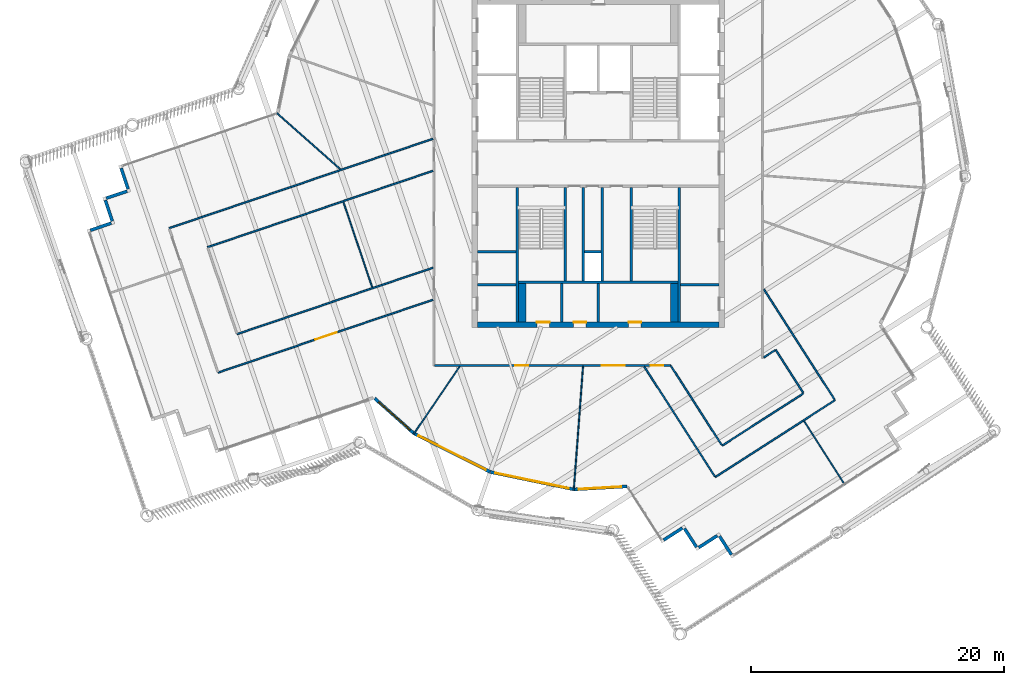
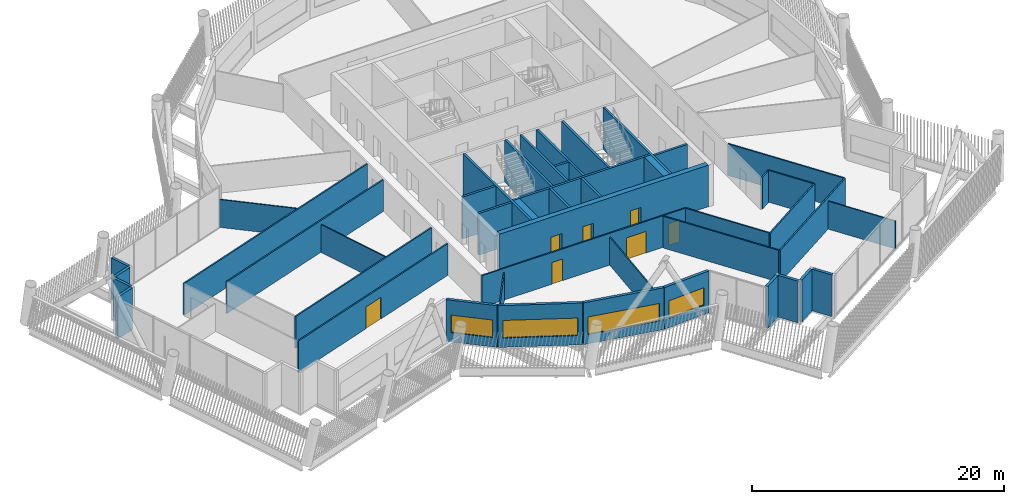
# One storey, part 17 of 35: 45 walls, 7 doors, 4 windows, 11 openings.
"""IFC4 building model written with IfcOpenShell, lengths in metres."""

from ifc_helpers import new_model, si_unit, direction, frame, frame_2d, origin, place, context, subcontext, project, spatial, rectangle, extrude, material, layer, layer_set, type_object, element, fill, save


model = new_model("IFC4")

# Units and contexts
model_context = context("Model", 3, precision=1e-05, world=origin(), true_north=direction((0.0, 1.0)))
body_context = subcontext(model_context, "Body", "Model", "MODEL_VIEW")
ifc_project = project(units=[si_unit("LENGTHUNIT", "METRE"), si_unit("AREAUNIT", "SQUARE_METRE"), si_unit("VOLUMEUNIT", "CUBIC_METRE"), si_unit("PLANEANGLEUNIT", "RADIAN"), si_unit("MASSUNIT", "GRAM", prefix="KILO")], contexts=[model_context])

# Site, building, storey
site_placement = place(None, origin())
site = spatial("IfcSite", under=ifc_project, at=site_placement, CompositionType="ELEMENT")
building_placement = place(site_placement, origin())
building = spatial("IfcBuilding", under=site, at=building_placement, Name="Tarsis Ring Headquarters", CompositionType="ELEMENT")
storey_placement = place(building_placement, frame((0.0, 0.0, 360.800048828125)))
storey = spatial("IfcBuildingStorey", under=building, at=storey_placement, Name="L85", CompositionType="ELEMENT", Elevation=360.800048828125)

# Walls
ifc_material_1 = material(Name="Blockwork", Category="masonry")
ifc_layer_1 = layer(ifc_material_1, 0.199951171875)
ifc_layer_set_1 = layer_set([ifc_layer_1], Name="Core blockwork wall 200")
wall_type_1 = type_object("IfcWallType", Name="Core blockwork wall 200", PredefinedType="PARTITIONING", material=ifc_layer_set_1)
for number, where, z_axis, x_axis, name in (
    (1, (-9.550048828125, -9.60009765625, 0.0), (0.0, 0.0, 1.0), (1.0, 0.0, 0.0), "Core partition WD1"),
    (2, (-9.550048828125, -7.0, 0.0), (0.0, 0.0, 1.0), (1.0, 0.0, 0.0), "Core partition WD2"),
    (3, (6.5, -9.60009765625, 0.0), (0.0, 0.0, 1.0), (1.0, 0.0, 0.0), "Core partition ED1"),
    (4, (-2.89990234375, -12.550048828125, 0.0), (0.0, 0.0, 1.0), (0.0, 1.0, 0.0), "Core partition SD1"),
    (5, (0.0, -12.550048828125, 0.0), (0.0, 0.0, 1.0), (0.0, 1.0, 0.0), "Core partition SD2"),
):
    element("IfcWall", number, at=place(storey_placement, frame(where, z_axis=z_axis, x_axis=x_axis)), inside=storey, type_object=wall_type_1, Name=name, PredefinedType="PARTITIONING", context=body_context, shape_type="SweptSolid", body=[
        extrude(rectangle(XDim=3.050048828125, YDim=0.199951171875, at=frame_2d((1.52490234375, 0.0))), origin(), (0.0, 0.0, 1.0), 4.0400390625),
    ])
wall_1_placement = place(storey_placement, frame((-1.10009765625, -7.0, 0.0), z_axis=(0.0, 0.0, 1.0), x_axis=(1.0, 0.0, 0.0)))
element("IfcWall", 6, at=wall_1_placement, inside=storey, type_object=wall_type_1, Name="Core partition SP2", PredefinedType="PARTITIONING", context=body_context, shape_type="SweptSolid", body=[
    extrude(rectangle(XDim=1.300048828125, YDim=0.199951171875, at=frame_2d((0.64990234375, 0.0))), origin(), (0.0, 0.0, 1.0), 4.0400390625),
])
for number, where, z_axis, x_axis, name in (
    (7, (-1.199951171875, -9.300048828125, 0.0), (0.0, 0.0, 1.0), (0.0, 1.0, 0.0), "Core partition SV1"),
    (8, (0.300048828125, -9.300048828125, 0.0), (0.0, 0.0, 1.0), (0.0, 1.0, 0.0), "Core partition SV2"),
):
    element("IfcWall", number, at=place(storey_placement, frame(where, z_axis=z_axis, x_axis=x_axis)), inside=storey, type_object=wall_type_1, Name=name, PredefinedType="PARTITIONING", context=body_context, shape_type="SweptSolid", body=[
        extrude(rectangle(XDim=7.400146484375, YDim=0.199951171875, at=frame_2d((3.7001953125, 0.0))), origin(), (0.0, 0.0, 1.0), 4.0400390625),
    ])

# Wall, openings, doors
ifc_material_2 = material(Name="Concrete C50/60", Category="concrete")
ifc_layer_2 = layer(ifc_material_2, 0.449951171875)
ifc_layer_set_2 = layer_set([ifc_layer_2], Name="Core wall 450 C50/60")
wall_type_2 = type_object("IfcWallType", Name="Core wall 450 C50/60", PredefinedType="SHEAR", material=ifc_layer_set_2)
wall_2_placement = place(storey_placement, frame((-9.550048828125, -12.77490234375, 0.0), z_axis=(0.0, 0.0, 1.0), x_axis=(1.0, 0.0, 0.0)))
wall_2 = element("IfcWall", 9, at=wall_2_placement, inside=storey, type_object=wall_type_2, Name="Core wall OS", PredefinedType="SHEAR", context=body_context, shape_type="SweptSolid", body=[
    extrude(rectangle(XDim=19.10009765625, YDim=0.449951171875, at=frame_2d((9.550048828125, 0.0))), origin(), (0.0, 0.0, 1.0), 4.0400390625),
])
opening_1_placement = place(wall_2_placement, frame((4.699951171875, 0.0, 0.0)))
opening_1 = element("IfcOpeningElement", 10, at=opening_1_placement, cuts=wall_2, Name="Opening L85-C17", PredefinedType="OPENING", context=body_context, shape_type="SweptSolid", body=[
    extrude(rectangle(XDim=1.0, YDim=2.10009765625, at=frame_2d((0.5, 1.050048828125))), frame((0.0, 0.23486328125, 0.0), z_axis=(0.0, -1.0, 0.0), x_axis=(1.0, 0.0, 0.0)), (0.0, 0.0, 1.0), 0.469970703125),
])
opening_2_placement = place(wall_2_placement, frame((7.60009765625, 0.0, 0.0)))
opening_2 = element("IfcOpeningElement", 11, at=opening_2_placement, cuts=wall_2, Name="Opening L85-C18", PredefinedType="OPENING", context=body_context, shape_type="SweptSolid", body=[
    extrude(rectangle(XDim=1.0, YDim=2.10009765625, at=frame_2d((0.5, 1.050048828125))), frame((0.0, 0.23486328125, 0.0), z_axis=(0.0, -1.0, 0.0), x_axis=(1.0, 0.0, 0.0)), (0.0, 0.0, 1.0), 0.469970703125),
])
opening_3_placement = place(wall_2_placement, frame((11.949951171875, 0.0, 0.0)))
opening_3 = element("IfcOpeningElement", 12, at=opening_3_placement, cuts=wall_2, Name="Opening L85-C19", PredefinedType="OPENING", context=body_context, shape_type="SweptSolid", body=[
    extrude(rectangle(XDim=1.0, YDim=2.10009765625, at=frame_2d((0.5, 1.050048828125))), frame((0.0, 0.23486328125, 0.0), z_axis=(0.0, -1.0, 0.0), x_axis=(1.0, 0.0, 0.0)), (0.0, 0.0, 1.0), 0.469970703125),
])
ifc_material_3 = material(Name="Steel S355", Category="steel")
door_type_1 = type_object("IfcDoorType", Name="Core room door 1000x2100", OperationType="SINGLE_SWING_LEFT", PredefinedType="DOOR", material=ifc_material_3)
door_1_placement = place(opening_1_placement, origin())
door_1 = element("IfcDoor", 13, at=door_1_placement, inside=storey, type_object=door_type_1, Name="Core room door L85", OperationType="SINGLE_SWING_LEFT", OverallHeight=2.10009765625, OverallWidth=1.0, PredefinedType="DOOR", context=body_context, shape_type="SweptSolid", body=[
    extrude(rectangle(XDim=1.0, YDim=2.10009765625, at=frame_2d((0.5, 1.050048828125))), frame((0.0, 0.22509765625, 0.0), z_axis=(0.0, -1.0, 0.0), x_axis=(1.0, 0.0, 0.0)), (0.0, 0.0, 1.0), 0.050048828125),
])
fill(opening_1, door_1)
door_2_placement = place(opening_2_placement, origin())
door_2 = element("IfcDoor", 14, at=door_2_placement, inside=storey, type_object=door_type_1, Name="Core room door L85", OperationType="SINGLE_SWING_LEFT", OverallHeight=2.10009765625, OverallWidth=1.0, PredefinedType="DOOR", context=body_context, shape_type="SweptSolid", body=[
    extrude(rectangle(XDim=1.0, YDim=2.10009765625, at=frame_2d((0.5, 1.050048828125))), frame((0.0, 0.22509765625, 0.0), z_axis=(0.0, -1.0, 0.0), x_axis=(1.0, 0.0, 0.0)), (0.0, 0.0, 1.0), 0.050048828125),
])
fill(opening_2, door_2)
door_3_placement = place(opening_3_placement, origin())
door_3 = element("IfcDoor", 15, at=door_3_placement, inside=storey, type_object=door_type_1, Name="Core room door L85", OperationType="SINGLE_SWING_LEFT", OverallHeight=2.10009765625, OverallWidth=1.0, PredefinedType="DOOR", context=body_context, shape_type="SweptSolid", body=[
    extrude(rectangle(XDim=1.0, YDim=2.10009765625, at=frame_2d((0.5, 1.050048828125))), frame((0.0, 0.22509765625, 0.0), z_axis=(0.0, -1.0, 0.0), x_axis=(1.0, 0.0, 0.0)), (0.0, 0.0, 1.0), 0.050048828125),
])
fill(opening_3, door_3)

# Walls
ifc_material_4 = material(Name="Gypsum board on steel studs", Category="steel")
ifc_layer_3 = layer(ifc_material_4, 0.10009765625)
ifc_layer_set_3 = layer_set([ifc_layer_3], Name="FL partition 100 unrated")
wall_type_3 = type_object("IfcWallType", Name="FL partition 100 unrated", PredefinedType="PARTITIONING", material=ifc_layer_set_3)
wall_3_placement = place(storey_placement, frame((-1.9365234375, -25.87548828125, 0.0), z_axis=(0.0, 0.0, 1.0), x_axis=(0.074634402862, 0.997210963593, 0.0)))
element("IfcWall", 16, at=wall_3_placement, inside=storey, type_object=wall_type_3, Name="Partition PW3", PredefinedType="PARTITIONING", context=body_context, shape_type="SweptSolid", body=[
    extrude(rectangle(XDim=9.8330078125, YDim=0.10009765625, at=frame_2d((4.91650390625, 0.0))), origin(), (0.0, 0.0, 1.0), 2.699951171875),
])
wall_4_placement = place(storey_placement, frame((-20.160400390625, -3.072998046875, 0.0), z_axis=(0.0, 0.0, 1.0), x_axis=(0.32095587381, -0.947094148998, 0.0)))
element("IfcWall", 17, at=wall_4_placement, inside=storey, type_object=wall_type_3, Name="Partition PW3", PredefinedType="PARTITIONING", context=body_context, shape_type="SweptSolid", body=[
    extrude(rectangle(XDim=7.119873046875, YDim=0.10009765625, at=frame_2d((3.56005859375, 0.0))), origin(), (0.0, 0.0, 1.0), 2.699951171875),
])
wall_5_placement = place(storey_placement, frame((-25.423583984375, 3.9755859375, 0.0), z_axis=(0.0, 0.0, 1.0), x_axis=(0.748618675524, -0.663000813466, 0.0)))
element("IfcWall", 18, at=wall_5_placement, inside=storey, type_object=wall_type_3, Name="Partition PW3", PredefinedType="PARTITIONING", context=body_context, shape_type="SweptSolid", body=[
    extrude(rectangle(XDim=6.6982421875, YDim=0.10009765625, at=frame_2d((3.34912109375, 0.0))), origin(), (0.0, 0.0, 1.0), 2.699951171875),
])
wall_6_placement = place(storey_placement, frame((-14.61474609375, -21.440673828125, 0.0), z_axis=(0.0, 0.0, 1.0), x_axis=(0.563211812609, 0.826312564432, 0.0)))
element("IfcWall", 19, at=wall_6_placement, inside=storey, type_object=wall_type_3, Name="Partition PW3", PredefinedType="PARTITIONING", context=body_context, shape_type="SweptSolid", body=[
    extrude(rectangle(XDim=6.484375, YDim=0.10009765625, at=frame_2d((3.2421875, 0.0))), origin(), (0.0, 0.0, 1.0), 2.699951171875),
])
wall_7_placement = place(storey_placement, frame((16.278564453125, -20.3974609375, 0.0), z_axis=(0.0, 0.0, 1.0), x_axis=(0.54053097555, -0.841324113806, 0.0)))
element("IfcWall", 20, at=wall_7_placement, inside=storey, type_object=wall_type_3, Name="Partition PW3", PredefinedType="PARTITIONING", context=body_context, shape_type="SweptSolid", body=[
    extrude(rectangle(XDim=5.989990234375, YDim=0.10009765625, at=frame_2d((2.9951171875, 0.0))), origin(), (0.0, 0.0, 1.0), 2.699951171875),
])
ifc_layer_4 = layer(ifc_material_4, 0.125)
ifc_layer_set_4 = layer_set([ifc_layer_4], Name="FL partition 125 EI 60 H3070")
wall_type_4 = type_object("IfcWallType", Name="FL partition 125 EI 60 H3070", PredefinedType="PARTITIONING", material=ifc_layer_set_4)
wall_8_placement = place(storey_placement, frame((-33.947265625, -5.136962890625, 0.0), z_axis=(0.0, 0.0, 1.0), x_axis=(0.947098416308, 0.320943281325, 0.0)))
element("IfcWall", 21, at=wall_8_placement, inside=storey, type_object=wall_type_4, Name="Partition PW1H307", PredefinedType="PARTITIONING", context=body_context, shape_type="SweptSolid", body=[
    extrude(rectangle(XDim=22.037353515625, YDim=0.125, at=frame_2d((11.0185546875, 0.0))), origin(), (0.0, 0.0, 1.0), 3.070068359375),
])
wall_9_placement = place(storey_placement, frame((-30.90380859375, -6.6396484375, 0.0), z_axis=(0.0, 0.0, 1.0), x_axis=(0.947097020876, 0.320947399192, 0.0)))
element("IfcWall", 22, at=wall_9_placement, inside=storey, type_object=wall_type_4, Name="Partition PW1H307", PredefinedType="PARTITIONING", context=body_context, shape_type="SweptSolid", body=[
    extrude(rectangle(XDim=18.823974609375, YDim=0.125, at=frame_2d((9.412109375, 0.0))), origin(), (0.0, 0.0, 1.0), 3.070068359375),
])

# Wall, openings, doors
wall_10_placement = place(storey_placement, frame((-12.93994140625, -16.0, 0.0), z_axis=(0.0, 0.0, 1.0), x_axis=(1.0, 0.0, 0.0)))
wall_10 = element("IfcWall", 23, at=wall_10_placement, inside=storey, type_object=wall_type_4, Name="Partition PW1H307", PredefinedType="PARTITIONING", context=body_context, shape_type="SweptSolid", body=[
    extrude(rectangle(XDim=18.667236328125, YDim=0.125, at=frame_2d((9.33349609375, 0.0))), origin(), (0.0, 0.0, 1.0), 3.070068359375),
])
opening_4_placement = place(wall_10_placement, frame((13.235107421875, 0.0, 0.0)))
opening_4 = element("IfcOpeningElement", 24, at=opening_4_placement, cuts=wall_10, Name="Opening D85.11", PredefinedType="OPENING", context=body_context, shape_type="SweptSolid", body=[
    extrude(rectangle(XDim=1.800048828125, YDim=2.10009765625, at=frame_2d((0.89990234375, 1.050048828125))), frame((0.0, 0.072509765625, 0.0), z_axis=(0.0, -1.0, 0.0), x_axis=(1.0, 0.0, 0.0)), (0.0, 0.0, 1.0), 0.14501953125),
])
opening_5_placement = place(wall_10_placement, frame((6.38818359375, 0.0, 0.0)))
opening_5 = element("IfcOpeningElement", 25, at=opening_5_placement, cuts=wall_10, Name="Opening D85.12", PredefinedType="OPENING", context=body_context, shape_type="SweptSolid", body=[
    extrude(rectangle(XDim=1.0, YDim=2.10009765625, at=frame_2d((0.5, 1.050048828125))), frame((0.0, 0.072509765625, 0.0), z_axis=(0.0, -1.0, 0.0), x_axis=(1.0, 0.0, 0.0)), (0.0, 0.0, 1.0), 0.14501953125),
])
opening_6_placement = place(wall_10_placement, frame((17.09765625, 0.0, 0.0)))
opening_6 = element("IfcOpeningElement", 26, at=opening_6_placement, cuts=wall_10, Name="Opening D85.14", PredefinedType="OPENING", context=body_context, shape_type="SweptSolid", body=[
    extrude(rectangle(XDim=1.0, YDim=2.10009765625, at=frame_2d((0.5, 1.050048828125))), frame((0.0, 0.072509765625, 0.0), z_axis=(0.0, -1.0, 0.0), x_axis=(1.0, 0.0, 0.0)), (0.0, 0.0, 1.0), 0.14501953125),
])
ifc_material_5 = material(Name="Fire-rated timber door leaf in steel frame", Category="steel")
door_type_2 = type_object("IfcDoorType", Name="FL door FD60-1000", OperationType="NOTDEFINED", PredefinedType="DOOR", material=ifc_material_5)
door_4_placement = place(opening_5_placement, origin())
door_4 = element("IfcDoor", 27, at=door_4_placement, inside=storey, type_object=door_type_2, Name="Door D85.12", OperationType="SINGLE_SWING_LEFT", OverallHeight=2.10009765625, OverallWidth=1.0, PredefinedType="DOOR", context=body_context, shape_type="SweptSolid", body=[
    extrude(rectangle(XDim=1.0, YDim=2.10009765625, at=frame_2d((0.5, 1.050048828125))), frame((0.0, 0.02490234375, 0.0), z_axis=(0.0, -1.0, 0.0), x_axis=(1.0, 0.0, 0.0)), (0.0, 0.0, 1.0), 0.050048828125),
])
fill(opening_5, door_4)
door_5_placement = place(opening_6_placement, origin())
door_5 = element("IfcDoor", 28, at=door_5_placement, inside=storey, type_object=door_type_2, Name="Door D85.14", OperationType="SINGLE_SWING_LEFT", OverallHeight=2.10009765625, OverallWidth=1.0, PredefinedType="DOOR", context=body_context, shape_type="SweptSolid", body=[
    extrude(rectangle(XDim=1.0, YDim=2.10009765625, at=frame_2d((0.5, 1.050048828125))), frame((0.0, 0.02490234375, 0.0), z_axis=(0.0, -1.0, 0.0), x_axis=(1.0, 0.0, 0.0)), (0.0, 0.0, 1.0), 0.050048828125),
])
fill(opening_6, door_5)
door_type_3 = type_object("IfcDoorType", Name="FL door FD60-1800", OperationType="DOUBLE_DOOR_SINGLE_SWING", PredefinedType="DOOR", material=ifc_material_5)
door_6_placement = place(opening_4_placement, origin())
door_6 = element("IfcDoor", 29, at=door_6_placement, inside=storey, type_object=door_type_3, Name="Door D85.11", OperationType="DOUBLE_DOOR_SINGLE_SWING", OverallHeight=2.10009765625, OverallWidth=1.800048828125, PredefinedType="DOOR", context=body_context, shape_type="SweptSolid", body=[
    extrude(rectangle(XDim=1.800048828125, YDim=2.10009765625, at=frame_2d((0.89990234375, 1.050048828125))), frame((0.0, 0.02490234375, 0.0), z_axis=(0.0, -1.0, 0.0), x_axis=(1.0, 0.0, 0.0)), (0.0, 0.0, 1.0), 0.050048828125),
])
fill(opening_4, door_6)

# Wall, opening, door
wall_11_placement = place(storey_placement, frame((-30.07666015625, -16.558837890625, 0.0), z_axis=(0.0, 0.0, 1.0), x_axis=(0.94710070798, 0.320936518557, 0.0)))
wall_11 = element("IfcWall", 30, at=wall_11_placement, inside=storey, type_object=wall_type_4, Name="Partition PW1H307", PredefinedType="PARTITIONING", context=body_context, shape_type="SweptSolid", body=[
    extrude(rectangle(XDim=17.950439453125, YDim=0.125, at=frame_2d((8.97509765625, 0.0))), origin(), (0.0, 0.0, 1.0), 3.070068359375),
])
opening_7_placement = place(wall_11_placement, frame((8.115234375, 0.0, 0.0)))
opening_7 = element("IfcOpeningElement", 31, at=opening_7_placement, cuts=wall_11, Name="Opening D85.01", PredefinedType="OPENING", context=body_context, shape_type="SweptSolid", body=[
    extrude(rectangle(XDim=1.800048828125, YDim=2.10009765625, at=frame_2d((0.89990234375, 1.050048828125))), frame((0.0, 0.072509765625, 0.0), z_axis=(0.0, -1.0, 0.0), x_axis=(1.0, 0.0, 0.0)), (0.0, 0.0, 1.0), 0.14501953125),
])
door_7_placement = place(opening_7_placement, origin())
door_7 = element("IfcDoor", 32, at=door_7_placement, inside=storey, type_object=door_type_3, Name="Door D85.01", OperationType="DOUBLE_DOOR_SINGLE_SWING", OverallHeight=2.10009765625, OverallWidth=1.800048828125, PredefinedType="DOOR", context=body_context, shape_type="SweptSolid", body=[
    extrude(rectangle(XDim=1.800048828125, YDim=2.10009765625, at=frame_2d((0.89990234375, 1.050048828125))), frame((0.0, 0.02490234375, 0.0), z_axis=(0.0, -1.0, 0.0), x_axis=(1.0, 0.0, 0.0)), (0.0, 0.0, 1.0), 0.050048828125),
])
fill(opening_7, door_7)

# Walls
wall_12_placement = place(storey_placement, frame((-28.573974609375, -13.515625, 0.0), z_axis=(0.0, 0.0, 1.0), x_axis=(0.94710208604, 0.320932451801, 0.0)))
element("IfcWall", 33, at=wall_12_placement, inside=storey, type_object=wall_type_4, Name="Partition PW1H307", PredefinedType="PARTITIONING", context=body_context, shape_type="SweptSolid", body=[
    extrude(rectangle(XDim=16.364013671875, YDim=0.125, at=frame_2d((8.18212890625, 0.0))), origin(), (0.0, 0.0, 1.0), 3.070068359375),
])
wall_13_placement = place(storey_placement, frame((9.2578125, -24.824951171875, 0.0), z_axis=(0.0, 0.0, 1.0), x_axis=(0.841324269527, 0.540530733173, 0.0)))
element("IfcWall", 34, at=wall_13_placement, inside=storey, type_object=wall_type_4, Name="Partition PW1H307", PredefinedType="PARTITIONING", context=body_context, shape_type="SweptSolid", body=[
    extrude(rectangle(XDim=11.260009765625, YDim=0.125, at=frame_2d((5.6298828125, 0.0))), origin(), (0.0, 0.0, 1.0), 3.070068359375),
])
wall_14_placement = place(storey_placement, frame((13.102783203125, -9.978271484375, 0.0), z_axis=(0.0, 0.0, 1.0), x_axis=(0.540525144961, -0.841327859794, 0.0)))
element("IfcWall", 35, at=wall_14_placement, inside=storey, type_object=wall_type_4, Name="Partition PW1H307", PredefinedType="PARTITIONING", context=body_context, shape_type="SweptSolid", body=[
    extrude(rectangle(XDim=10.352294921875, YDim=0.125, at=frame_2d((5.17626953125, 0.0))), origin(), (0.0, 0.0, 1.0), 3.070068359375),
])
wall_15_placement = place(storey_placement, frame((3.641845703125, -16.084228515625, 0.0), z_axis=(0.0, 0.0, 1.0), x_axis=(0.540548522369, -0.841312840128, 0.0)))
element("IfcWall", 36, at=wall_15_placement, inside=storey, type_object=wall_type_4, Name="Partition PW1H307", PredefinedType="PARTITIONING", context=body_context, shape_type="SweptSolid", body=[
    extrude(rectangle(XDim=10.329345703125, YDim=0.125, at=frame_2d((5.16455078125, 0.0))), origin(), (0.0, 0.0, 1.0), 3.070068359375),
])
wall_16_placement = place(storey_placement, frame((9.80078125, -22.336669921875, 0.0), z_axis=(0.0, 0.0, 1.0), x_axis=(0.841316248148, 0.540543218071, 0.0)))
element("IfcWall", 37, at=wall_16_placement, inside=storey, type_object=wall_type_4, Name="Partition PW1H307", PredefinedType="PARTITIONING", context=body_context, shape_type="SweptSolid", body=[
    extrude(rectangle(XDim=7.656005859375, YDim=0.125, at=frame_2d((3.828125, 0.0))), origin(), (0.0, 0.0, 1.0), 3.070068359375),
])
wall_17_placement = place(storey_placement, frame((5.7490234375, -16.03369140625, 0.0), z_axis=(0.0, 0.0, 1.0), x_axis=(0.540533397787, -0.84132255757, 0.0)))
element("IfcWall", 38, at=wall_17_placement, inside=storey, type_object=wall_type_4, Name="Partition PW1H307", PredefinedType="PARTITIONING", context=body_context, shape_type="SweptSolid", body=[
    extrude(rectangle(XDim=7.430908203125, YDim=0.125, at=frame_2d((3.71533203125, 0.0))), origin(), (0.0, 0.0, 1.0), 3.070068359375),
])
wall_18_placement = place(storey_placement, frame((14.03369140625, -14.757568359375, 0.0), z_axis=(0.0, 0.0, 1.0), x_axis=(0.540558379112, -0.841306507031, 0.0)))
element("IfcWall", 39, at=wall_18_placement, inside=storey, type_object=wall_type_4, Name="Partition PW1H307", PredefinedType="PARTITIONING", context=body_context, shape_type="SweptSolid", body=[
    extrude(rectangle(XDim=4.0263671875, YDim=0.125, at=frame_2d((2.01318359375, 0.0))), origin(), (0.0, 0.0, 1.0), 3.070068359375),
])
wall_19_placement = place(storey_placement, frame((13.08447265625, -15.365478515625, 0.0), z_axis=(0.0, 0.0, 1.0), x_axis=(0.8413794811, 0.540444787914, 0.0)))
element("IfcWall", 40, at=wall_19_placement, inside=storey, type_object=wall_type_4, Name="Partition PW1H307", PredefinedType="PARTITIONING", context=body_context, shape_type="SweptSolid", body=[
    extrude(rectangle(XDim=1.065185546875, YDim=0.125, at=frame_2d((0.53271484375, 0.0))), origin(), (0.0, 0.0, 1.0), 3.070068359375),
])

# Wall, opening, window
ifc_material_6 = material(Name="Terracotta clad insulated panel wall", Category="masonry")
ifc_layer_5 = layer(ifc_material_6, 0.25)
ifc_layer_set_5 = layer_set([ifc_layer_5], Name="Facade wall terracotta panel 250")
wall_type_5 = type_object("IfcWallType", Name="Facade wall terracotta panel 250", PredefinedType="STANDARD", material=ifc_layer_set_5)
wall_20_placement = place(storey_placement, frame((-17.685791015625, -18.598388671875, 0.0), z_axis=(0.0, 0.0, 1.0), x_axis=(0.745715692071, -0.666264291853, 0.0)))
wall_20 = element("IfcWall", 41, at=wall_20_placement, inside=storey, type_object=wall_type_5, Name="External wall L85-02", PredefinedType="STANDARD", context=body_context, shape_type="SweptSolid", body=[
    extrude(rectangle(XDim=4.157470703125, YDim=0.25, at=frame_2d((2.07861328125, 0.0))), origin(), (0.0, 0.0, 1.0), 4.0400390625),
])
opening_8_placement = place(wall_20_placement, frame((0.420166015625, 0.0, 0.89990234375)))
opening_8 = element("IfcOpeningElement", 42, at=opening_8_placement, cuts=wall_20, Name="Opening WN01", PredefinedType="OPENING", context=body_context, shape_type="SweptSolid", body=[
    extrude(rectangle(XDim=3.35009765625, YDim=1.699951171875, at=frame_2d((1.675048828125, 0.85009765625))), frame((0.0, 0.135009765625, 0.0), z_axis=(0.0, -1.0, 0.0), x_axis=(1.0, 0.0, 0.0)), (0.0, 0.0, 1.0), 0.27001953125),
])
ifc_material_7 = material(Name="Aluminium framed double glazing", Category="aluminium")
window_type_1 = type_object("IfcWindowType", Name="Facade window 3350 x 1700", PartitioningType="SINGLE_PANEL", PredefinedType="WINDOW", material=ifc_material_7)
window_1_placement = place(opening_8_placement, origin())
window_1 = element("IfcWindow", 43, at=window_1_placement, inside=storey, type_object=window_type_1, Name="Window L85-02.1", OverallHeight=1.699951171875, OverallWidth=3.35009765625, PartitioningType="SINGLE_PANEL", PredefinedType="WINDOW", context=body_context, shape_type="SweptSolid", body=[
    extrude(rectangle(XDim=3.35009765625, YDim=1.699951171875, at=frame_2d((1.675048828125, 0.85009765625))), frame((0.0, 0.030029296875, 0.0), z_axis=(0.0, -1.0, 0.0), x_axis=(1.0, 0.0, 0.0)), (0.0, 0.0, 1.0), 0.06005859375),
])
fill(opening_8, window_1)

wall_21_placement = place(storey_placement, frame((-14.55859375, -21.386962890625, 0.0), z_axis=(0.0, 0.0, 1.0), x_axis=(0.892757457146, -0.450537593004, 0.0)))
wall_21 = element("IfcWall", 44, at=wall_21_placement, inside=storey, type_object=wall_type_5, Name="External wall L85-03", PredefinedType="STANDARD", context=body_context, shape_type="SweptSolid", body=[
    extrude(rectangle(XDim=6.7216796875, YDim=0.25, at=frame_2d((3.36083984375, 0.0))), origin(), (0.0, 0.0, 1.0), 4.0400390625),
])
opening_9_placement = place(wall_21_placement, frame((0.3857421875, 0.0, 0.89990234375)))
opening_9 = element("IfcOpeningElement", 45, at=opening_9_placement, cuts=wall_21, Name="Opening WN07", PredefinedType="OPENING", context=body_context, shape_type="SweptSolid", body=[
    extrude(rectangle(XDim=5.949951171875, YDim=1.699951171875, at=frame_2d((2.97509765625, 0.85009765625))), frame((0.0, 0.135009765625, 0.0), z_axis=(0.0, -1.0, 0.0), x_axis=(1.0, 0.0, 0.0)), (0.0, 0.0, 1.0), 0.27001953125),
])
window_type_2 = type_object("IfcWindowType", Name="Facade window 5950 x 1700", PartitioningType="SINGLE_PANEL", PredefinedType="WINDOW", material=ifc_material_7)
window_2_placement = place(opening_9_placement, origin())
window_2 = element("IfcWindow", 46, at=window_2_placement, inside=storey, type_object=window_type_2, Name="Window L85-03.1", OverallHeight=1.699951171875, OverallWidth=5.949951171875, PartitioningType="SINGLE_PANEL", PredefinedType="WINDOW", context=body_context, shape_type="SweptSolid", body=[
    extrude(rectangle(XDim=5.949951171875, YDim=1.699951171875, at=frame_2d((2.97509765625, 0.85009765625))), frame((0.0, 0.030029296875, 0.0), z_axis=(0.0, -1.0, 0.0), x_axis=(1.0, 0.0, 0.0)), (0.0, 0.0, 1.0), 0.06005859375),
])
fill(opening_9, window_2)

wall_22_placement = place(storey_placement, frame((-8.527099609375, -24.42626953125, 0.0), z_axis=(0.0, 0.0, 1.0), x_axis=(0.978944142938, -0.204128305258, 0.0)))
wall_22 = element("IfcWall", 47, at=wall_22_placement, inside=storey, type_object=wall_type_5, Name="External wall L85-04", PredefinedType="STANDARD", context=body_context, shape_type="SweptSolid", body=[
    extrude(rectangle(XDim=6.7216796875, YDim=0.25, at=frame_2d((3.36083984375, 0.0))), origin(), (0.0, 0.0, 1.0), 4.0400390625),
])
opening_10_placement = place(wall_22_placement, frame((0.3857421875, 0.0, 0.89990234375)))
opening_10 = element("IfcOpeningElement", 48, at=opening_10_placement, cuts=wall_22, Name="Opening WN07", PredefinedType="OPENING", context=body_context, shape_type="SweptSolid", body=[
    extrude(rectangle(XDim=5.949951171875, YDim=1.699951171875, at=frame_2d((2.97509765625, 0.85009765625))), frame((0.0, 0.135009765625, 0.0), z_axis=(0.0, -1.0, 0.0), x_axis=(1.0, 0.0, 0.0)), (0.0, 0.0, 1.0), 0.27001953125),
])
window_3_placement = place(opening_10_placement, origin())
window_3 = element("IfcWindow", 49, at=window_3_placement, inside=storey, type_object=window_type_2, Name="Window L85-04.1", OverallHeight=1.699951171875, OverallWidth=5.949951171875, PartitioningType="SINGLE_PANEL", PredefinedType="WINDOW", context=body_context, shape_type="SweptSolid", body=[
    extrude(rectangle(XDim=5.949951171875, YDim=1.699951171875, at=frame_2d((2.97509765625, 0.85009765625))), frame((0.0, 0.030029296875, 0.0), z_axis=(0.0, -1.0, 0.0), x_axis=(1.0, 0.0, 0.0)), (0.0, 0.0, 1.0), 0.06005859375),
])
fill(opening_10, window_3)

wall_23_placement = place(storey_placement, frame((-1.91455078125, -25.80078125, 0.0), z_axis=(0.0, 0.0, 1.0), x_axis=(0.998420776432, 0.056177870989, 0.0)))
wall_23 = element("IfcWall", 50, at=wall_23_placement, inside=storey, type_object=wall_type_5, Name="External wall L85-05", PredefinedType="STANDARD", context=body_context, shape_type="SweptSolid", body=[
    extrude(rectangle(XDim=4.202392578125, YDim=0.25, at=frame_2d((2.10107421875, 0.0))), origin(), (0.0, 0.0, 1.0), 4.0400390625),
])
opening_11_placement = place(wall_23_placement, frame((0.38720703125, 0.0, 0.89990234375)))
opening_11 = element("IfcOpeningElement", 51, at=opening_11_placement, cuts=wall_23, Name="Opening WN01", PredefinedType="OPENING", context=body_context, shape_type="SweptSolid", body=[
    extrude(rectangle(XDim=3.35009765625, YDim=1.699951171875, at=frame_2d((1.675048828125, 0.85009765625))), frame((0.0, 0.135009765625, 0.0), z_axis=(0.0, -1.0, 0.0), x_axis=(1.0, 0.0, 0.0)), (0.0, 0.0, 1.0), 0.27001953125),
])
window_4_placement = place(opening_11_placement, origin())
window_4 = element("IfcWindow", 52, at=window_4_placement, inside=storey, type_object=window_type_1, Name="Window L85-05.1", OverallHeight=1.699951171875, OverallWidth=3.35009765625, PartitioningType="SINGLE_PANEL", PredefinedType="WINDOW", context=body_context, shape_type="SweptSolid", body=[
    extrude(rectangle(XDim=3.35009765625, YDim=1.699951171875, at=frame_2d((1.675048828125, 0.85009765625))), frame((0.0, 0.030029296875, 0.0), z_axis=(0.0, -1.0, 0.0), x_axis=(1.0, 0.0, 0.0)), (0.0, 0.0, 1.0), 0.06005859375),
])
fill(opening_11, window_4)

# Walls
wall_24_placement = place(storey_placement, frame((5.181884765625, -29.80322265625, 0.0), z_axis=(0.0, 0.0, 1.0), x_axis=(0.84126912244, 0.540616558782, 0.0)))
element("IfcWall", 53, at=wall_24_placement, inside=storey, type_object=wall_type_5, Name="External wall L85-07", PredefinedType="STANDARD", context=body_context, shape_type="SweptSolid", body=[
    extrude(rectangle(XDim=1.75, YDim=0.25, at=frame_2d((0.875, 0.0))), origin(), (0.0, 0.0, 1.0), 4.0400390625),
])
for number, where, z_axis, x_axis, name in (
    (54, (6.826904296875, -28.894775390625, 0.0), (0.0, 0.0, 1.0), (0.540553113186, -0.841309890483, 0.0), "External wall L85-08"),
    (55, (7.945556640625, -30.40478515625, 0.0), (0.0, 0.0, 1.0), (0.841309890483, 0.540553113186, 0.0), "External wall L85-09"),
    (56, (9.590576171875, -29.496337890625, 0.0), (0.0, 0.0, 1.0), (0.540553113186, -0.841309890483, 0.0), "External wall L85-10"),
):
    element("IfcWall", number, at=place(storey_placement, frame(where, z_axis=z_axis, x_axis=x_axis)), inside=storey, type_object=wall_type_5, Name=name, PredefinedType="STANDARD", context=body_context, shape_type="SweptSolid", body=[
        extrude(rectangle(XDim=1.750244140625, YDim=0.25, at=frame_2d((0.875, 0.0))), origin(), (0.0, 0.0, 1.0), 4.0400390625),
    ])
for number, where, z_axis, x_axis, name in (
    (57, (-37.748291015625, -0.385498046875, 0.0), (0.0, 0.0, 1.0), (0.320994745033, -0.94708097524, 0.0), "External wall L85-32"),
    (58, (-37.264892578125, -2.201416015625, 0.0), (0.0, 0.0, 1.0), (-0.947123378683, -0.320869608333, 0.0), "External wall L85-33"),
):
    element("IfcWall", number, at=place(storey_placement, frame(where, z_axis=z_axis, x_axis=x_axis)), inside=storey, type_object=wall_type_5, Name=name, PredefinedType="STANDARD", context=body_context, shape_type="SweptSolid", body=[
        extrude(rectangle(XDim=1.75, YDim=0.25, at=frame_2d((0.875, 0.0))), origin(), (0.0, 0.0, 1.0), 4.0400390625),
    ])
wall_25_placement = place(storey_placement, frame((-39.00048828125, -2.921630859375, 0.0), z_axis=(0.0, 0.0, 1.0), x_axis=(0.320912010688, -0.947109012414, 0.0)))
element("IfcWall", 59, at=wall_25_placement, inside=storey, type_object=wall_type_5, Name="External wall L85-34", PredefinedType="STANDARD", context=body_context, shape_type="SweptSolid", body=[
    extrude(rectangle(XDim=1.749755859375, YDim=0.25, at=frame_2d((0.875, 0.0))), origin(), (0.0, 0.0, 1.0), 4.0400390625),
])
wall_26_placement = place(storey_placement, frame((-38.51708984375, -4.737548828125, 0.0), z_axis=(0.0, 0.0, 1.0), x_axis=(-0.947123378683, -0.320869608333, 0.0)))
element("IfcWall", 60, at=wall_26_placement, inside=storey, type_object=wall_type_5, Name="External wall L85-35", PredefinedType="STANDARD", context=body_context, shape_type="SweptSolid", body=[
    extrude(rectangle(XDim=1.75, YDim=0.25, at=frame_2d((0.875, 0.0))), origin(), (0.0, 0.0, 1.0), 4.0400390625),
])
ifc_material_8 = material(Name="Concrete C32/40", Category="concrete")
ifc_layer_6 = layer(ifc_material_8, 0.60009765625)
ifc_layer_set_6 = layer_set([ifc_layer_6], Name="Shaft end wall 600 C32/40")
wall_type_6 = type_object("IfcWallType", Name="Shaft end wall 600 C32/40", PredefinedType="SOLIDWALL", material=ifc_layer_set_6)
for number, where, z_axis, x_axis, name in (
    (61, (-6.0, -12.550048828125, 0.0), (0.0, 0.0, 1.0), (0.0, 1.0, 0.0), "Core shaft wall SNE1"),
    (62, (6.0, -12.550048828125, 0.0), (0.0, 0.0, 1.0), (0.0, 1.0, 0.0), "Core shaft wall SNE2"),
):
    element("IfcWall", number, at=place(storey_placement, frame(where, z_axis=z_axis, x_axis=x_axis)), inside=storey, type_object=wall_type_6, Name=name, PredefinedType="SOLIDWALL", context=body_context, shape_type="SweptSolid", body=[
        extrude(rectangle(XDim=3.050048828125, YDim=0.60009765625, at=frame_2d((1.52490234375, 0.0))), origin(), (0.0, 0.0, 1.0), 4.0400390625),
    ])
ifc_layer_7 = layer(ifc_material_8, 0.199951171875)
ifc_layer_set_7 = layer_set([ifc_layer_7], Name="Shaft wall 200 C32/40")
wall_type_7 = type_object("IfcWallType", Name="Shaft wall 200 C32/40", PredefinedType="SOLIDWALL", material=ifc_layer_set_7)
for number, where, z_axis, x_axis, name in (
    (63, (-6.39990234375, -12.550048828125, 0.0), (0.0, 0.0, 1.0), (0.0, 1.0, 0.0), "Core shaft wall WB1"),
    (64, (6.39990234375, -12.550048828125, 0.0), (0.0, 0.0, 1.0), (0.0, 1.0, 0.0), "Core shaft wall EB1"),
):
    element("IfcWall", number, at=place(storey_placement, frame(where, z_axis=z_axis, x_axis=x_axis)), inside=storey, type_object=wall_type_7, Name=name, PredefinedType="SOLIDWALL", context=body_context, shape_type="SweptSolid", body=[
        extrude(rectangle(XDim=10.650146484375, YDim=0.199951171875, at=frame_2d((5.3251953125, 0.0))), origin(), (0.0, 0.0, 1.0), 4.0400390625),
    ])
wall_27_placement = place(storey_placement, frame((-6.300048828125, -9.39990234375, 0.0), z_axis=(0.0, 0.0, 1.0), x_axis=(1.0, 0.0, 0.0)))
element("IfcWall", 65, at=wall_27_placement, inside=storey, type_object=wall_type_7, Name="Core shaft wall SB", PredefinedType="SOLIDWALL", context=body_context, shape_type="SweptSolid", body=[
    extrude(rectangle(XDim=12.60009765625, YDim=0.199951171875, at=frame_2d((6.300048828125, 0.0))), origin(), (0.0, 0.0, 1.0), 4.0400390625),
])
for number, where, z_axis, x_axis, name in (
    (66, (-2.60009765625, -9.300048828125, 0.0), (0.0, 0.0, 1.0), (0.0, 1.0, 0.0), "Core shaft wall SW3"),
    (67, (2.60009765625, -9.300048828125, 0.0), (0.0, 0.0, 1.0), (0.0, 1.0, 0.0), "Core shaft wall SW4"),
):
    element("IfcWall", number, at=place(storey_placement, frame(where, z_axis=z_axis, x_axis=x_axis)), inside=storey, type_object=wall_type_7, Name=name, PredefinedType="SOLIDWALL", context=body_context, shape_type="SweptSolid", body=[
        extrude(rectangle(XDim=7.400146484375, YDim=0.199951171875, at=frame_2d((3.7001953125, 0.0))), origin(), (0.0, 0.0, 1.0), 4.0400390625),
    ])

save(model, "model.ifc")
